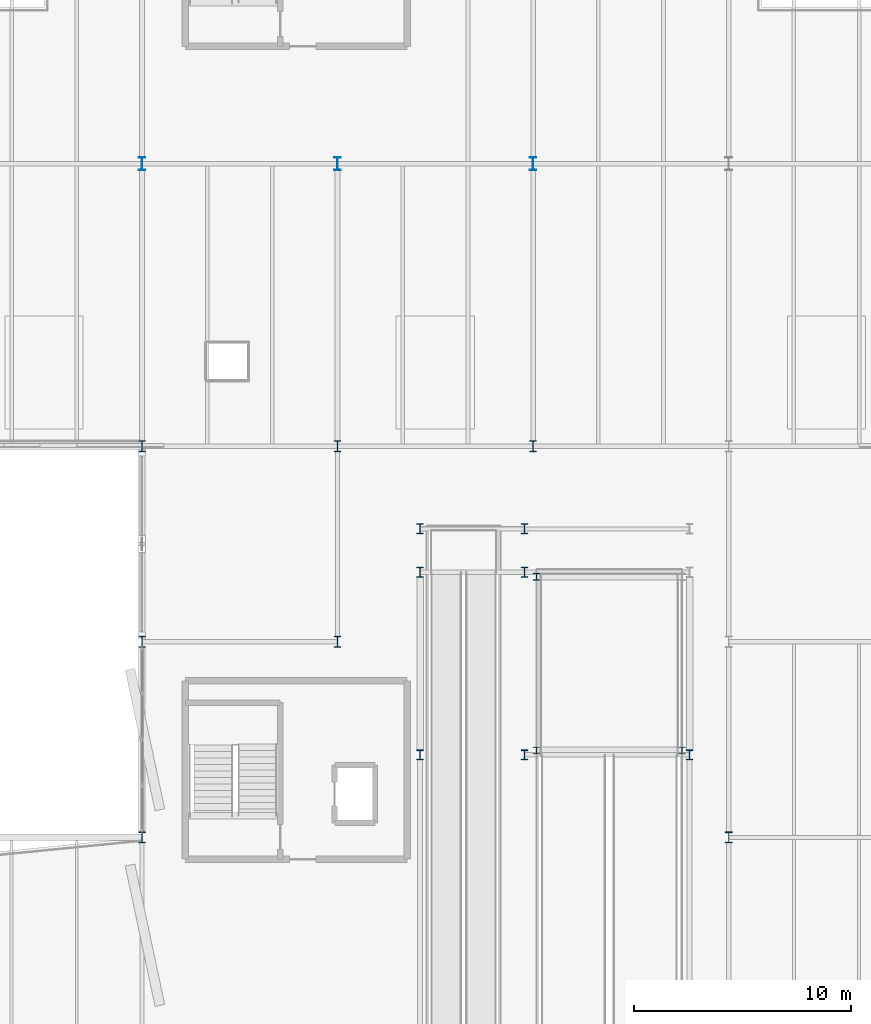
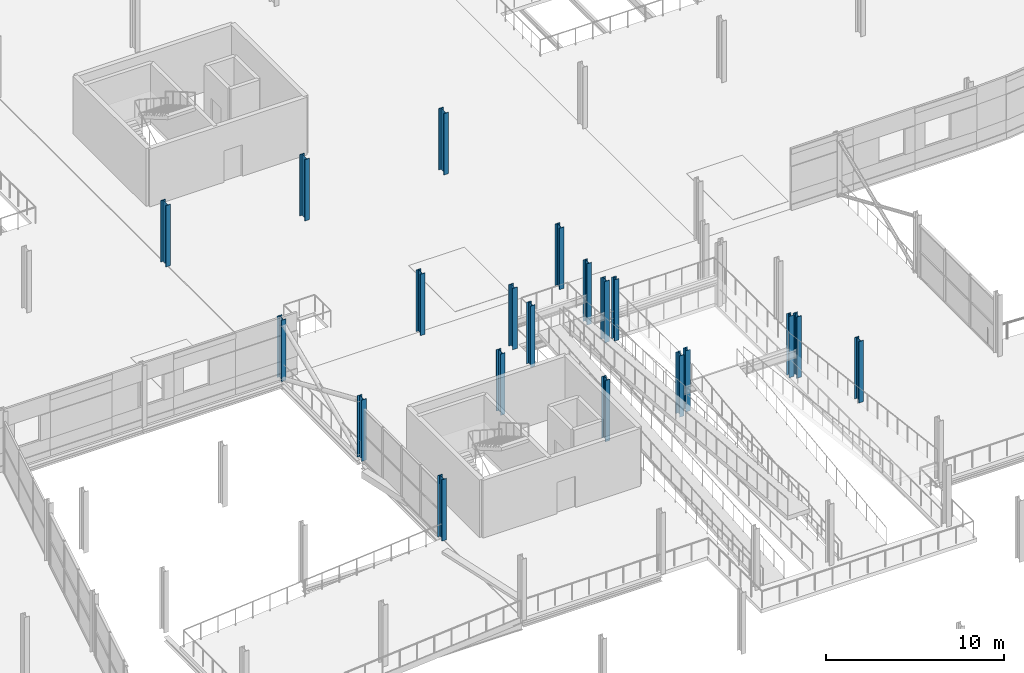
# One storey, part 11 of 135: 20 columns.
"""IFC4 building model written with IfcOpenShell, lengths in metres."""

from ifc_helpers import new_model, si_unit, direction, frame, origin, origin_2d, place, context, subcontext, project, spatial, i_section, extrude, material, material_profile, profile_set, type_object, element, save


model = new_model("IFC4")

# Units and contexts
model_context = context("Model", 3, precision=1e-05, world=origin(), true_north=direction((0.0, 1.0)))
body_context = subcontext(model_context, "Body", "Model", "MODEL_VIEW")
ifc_project = project(units=[si_unit("LENGTHUNIT", "METRE"), si_unit("AREAUNIT", "SQUARE_METRE"), si_unit("VOLUMEUNIT", "CUBIC_METRE"), si_unit("PLANEANGLEUNIT", "RADIAN"), si_unit("MASSUNIT", "GRAM", prefix="KILO")], contexts=[model_context])

# Site, building, storey
site_placement = place(None, origin())
site = spatial("IfcSite", under=ifc_project, at=site_placement, CompositionType="ELEMENT")
building_placement = place(site_placement, origin())
building = spatial("IfcBuilding", under=site, at=building_placement, Name="Deido Ridge Mobility Hub", CompositionType="ELEMENT")
storey_placement = place(building_placement, frame((0.0, 0.0, 4.199951171875)))
storey = spatial("IfcBuildingStorey", under=building, at=storey_placement, Name="L01", CompositionType="ELEMENT", Elevation=4.199951171875)

# Columns
ifc_material = material(Name="Steel S355J2 EN 10025-2", Category="steel")
ifc_material_profile_1 = material_profile(ifc_material, i_section(OverallWidth=0.300048828125, OverallDepth=0.320068359375, WebThickness=0.011474609375, FlangeThickness=0.0205078125, FilletRadius=0.027099609375, at=origin_2d()), Name="HEB 320")
ifc_profile_set_1 = profile_set([ifc_material_profile_1], Name="Steel S355J2 EN 10025-2")
column_type_1 = type_object("IfcColumnType", Name="COL-HEB320", PredefinedType="COLUMN", material=ifc_profile_set_1)
for number, where, z_axis, x_axis, name in (
    (1, (90.14990234375, 67.0, 0.0), (0.0, 0.0, 1.0), (1.0, 0.0, 0.0), "Structural column C9"),
    (2, (90.14990234375, 75.0, 0.0), (0.0, 0.0, 1.0), (1.0, 0.0, 0.0), "Structural column C9"),
    (3, (96.85009765625, 67.0, 0.0), (0.0, 0.0, 1.0), (1.0, 0.0, 0.0), "Structural column C9"),
):
    element("IfcColumn", number, at=place(storey_placement, frame(where, z_axis=z_axis, x_axis=x_axis)), inside=storey, type_object=column_type_1, Name=name, PredefinedType="COLUMN", context=body_context, shape_type="SweptSolid", body=[
        extrude(i_section(OverallWidth=0.300048828125, OverallDepth=0.320068359375, WebThickness=0.011474609375, FlangeThickness=0.0205078125, FilletRadius=0.027099609375, at=origin_2d()), origin(), (0.0, 0.0, 1.0), 4.199951171875),
    ])
ifc_material_profile_2 = material_profile(ifc_material, i_section(OverallWidth=0.300048828125, OverallDepth=0.449951171875, WebThickness=0.013916015625, FlangeThickness=0.02587890625, FilletRadius=0.027099609375, at=origin_2d()), Name="HEB 450")
ifc_profile_set_2 = profile_set([ifc_material_profile_2], Name="Steel S355J2 EN 10025-2")
column_type_2 = type_object("IfcColumnType", Name="COL-HEB450", PredefinedType="COLUMN", material=ifc_profile_set_2)
for number, where, z_axis, x_axis, name in (
    (4, (84.800048828125, 66.800048828125, 0.0), (0.0, 0.0, 1.0), (1.0, 0.0, 0.0), "Structural column C6"),
    (5, (84.800048828125, 75.199951171875, 0.0), (0.0, 0.0, 1.0), (1.0, 0.0, 0.0), "Structural column C6"),
    (6, (84.800048828125, 77.199951171875, 0.0), (0.0, 0.0, 1.0), (1.0, 0.0, 0.0), "Structural column C6"),
    (7, (89.60009765625, 66.800048828125, 0.0), (0.0, 0.0, 1.0), (1.0, 0.0, 0.0), "Structural column C6"),
    (8, (89.60009765625, 75.199951171875, 0.0), (0.0, 0.0, 1.0), (1.0, 0.0, 0.0), "Structural column C6"),
    (9, (89.60009765625, 77.199951171875, 0.0), (0.0, 0.0, 1.0), (1.0, 0.0, 0.0), "Structural column C6"),
    (10, (97.199951171875, 66.800048828125, 0.0), (0.0, 0.0, 1.0), (1.0, 0.0, 0.0), "Structural column C6"),
):
    element("IfcColumn", number, at=place(storey_placement, frame(where, z_axis=z_axis, x_axis=x_axis)), inside=storey, type_object=column_type_2, Name=name, PredefinedType="COLUMN", context=body_context, shape_type="SweptSolid", body=[
        extrude(i_section(OverallWidth=0.300048828125, OverallDepth=0.449951171875, WebThickness=0.013916015625, FlangeThickness=0.02587890625, FilletRadius=0.027099609375, at=origin_2d()), origin(), (0.0, 0.0, 1.0), 4.199951171875),
    ])
ifc_material_profile_3 = material_profile(ifc_material, i_section(OverallWidth=0.300048828125, OverallDepth=0.5, WebThickness=0.014404296875, FlangeThickness=0.028076171875, FilletRadius=0.027099609375, at=origin_2d()), Name="HEB 500")
ifc_profile_set_3 = profile_set([ifc_material_profile_3], Name="Steel S355J2 EN 10025-2")
column_type_3 = type_object("IfcColumnType", Name="COL-HEB500", PredefinedType="COLUMN", material=ifc_profile_set_3)
for number, where, z_axis, x_axis, name in (
    (11, (72.0, 63.0, 0.0), (0.0, 0.0, 1.0), (1.0, 0.0, 0.0), "Structural column C5"),
    (12, (72.0, 72.0, 0.0), (0.0, 0.0, 1.0), (1.0, 0.0, 0.0), "Structural column C5"),
    (13, (72.0, 81.0, 0.0), (0.0, 0.0, 1.0), (1.0, 0.0, 0.0), "Structural column C5"),
    (14, (81.0, 72.0, 0.0), (0.0, 0.0, 1.0), (1.0, 0.0, 0.0), "Structural column C5"),
    (15, (81.0, 81.0, 0.0), (0.0, 0.0, 1.0), (1.0, 0.0, 0.0), "Structural column C5"),
    (16, (99.0, 63.0, 0.0), (0.0, 0.0, 1.0), (1.0, 0.0, 0.0), "Structural column C5"),
    (17, (90.0, 81.0, 0.0), (0.0, 0.0, 1.0), (1.0, 0.0, 0.0), "Structural column C5"),
):
    element("IfcColumn", number, at=place(storey_placement, frame(where, z_axis=z_axis, x_axis=x_axis)), inside=storey, type_object=column_type_3, Name=name, PredefinedType="COLUMN", context=body_context, shape_type="SweptSolid", body=[
        extrude(i_section(OverallWidth=0.300048828125, OverallDepth=0.5, WebThickness=0.014404296875, FlangeThickness=0.028076171875, FilletRadius=0.027099609375, at=origin_2d()), origin(), (0.0, 0.0, 1.0), 4.199951171875),
    ])
ifc_material_profile_4 = material_profile(ifc_material, i_section(OverallWidth=0.300048828125, OverallDepth=0.60009765625, WebThickness=0.015380859375, FlangeThickness=0.030029296875, FilletRadius=0.027099609375, at=origin_2d()), Name="HEB 600")
ifc_profile_set_4 = profile_set([ifc_material_profile_4], Name="Steel S355J2 EN 10025-2")
column_type_4 = type_object("IfcColumnType", Name="COL-HEB600", PredefinedType="COLUMN", material=ifc_profile_set_4)
for number, where, z_axis, x_axis, name in (
    (18, (72.0, 94.0, 0.0), (0.0, 0.0, 1.0), (1.0, 0.0, 0.0), "Structural column C4"),
    (19, (81.0, 94.0, 0.0), (0.0, 0.0, 1.0), (1.0, 0.0, 0.0), "Structural column C4"),
    (20, (90.0, 94.0, 0.0), (0.0, 0.0, 1.0), (1.0, 0.0, 0.0), "Structural column C4"),
):
    element("IfcColumn", number, at=place(storey_placement, frame(where, z_axis=z_axis, x_axis=x_axis)), inside=storey, type_object=column_type_4, Name=name, PredefinedType="COLUMN", context=body_context, shape_type="SweptSolid", body=[
        extrude(i_section(OverallWidth=0.300048828125, OverallDepth=0.60009765625, WebThickness=0.015380859375, FlangeThickness=0.030029296875, FilletRadius=0.027099609375, at=origin_2d()), origin(), (0.0, 0.0, 1.0), 4.199951171875),
    ])

save(model, "model.ifc")
